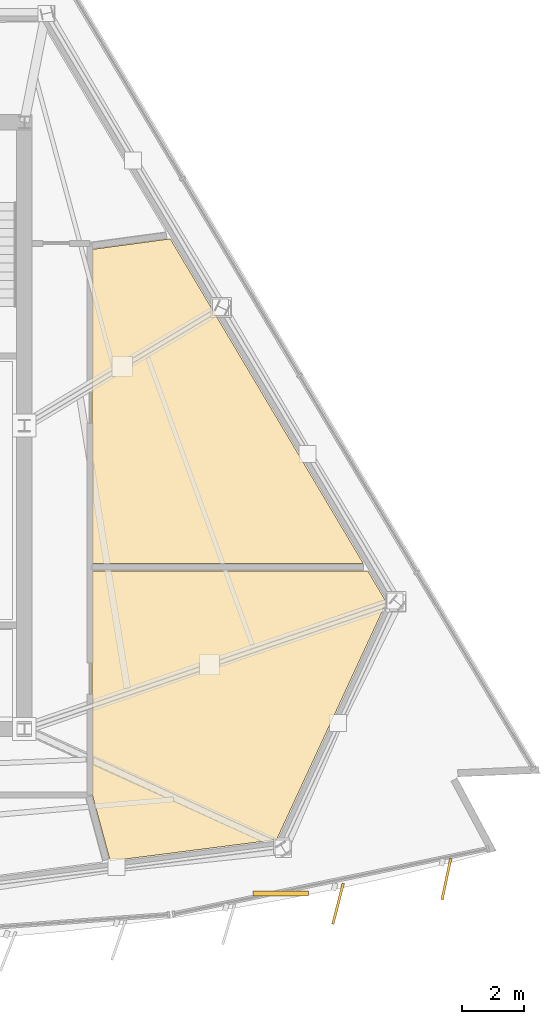
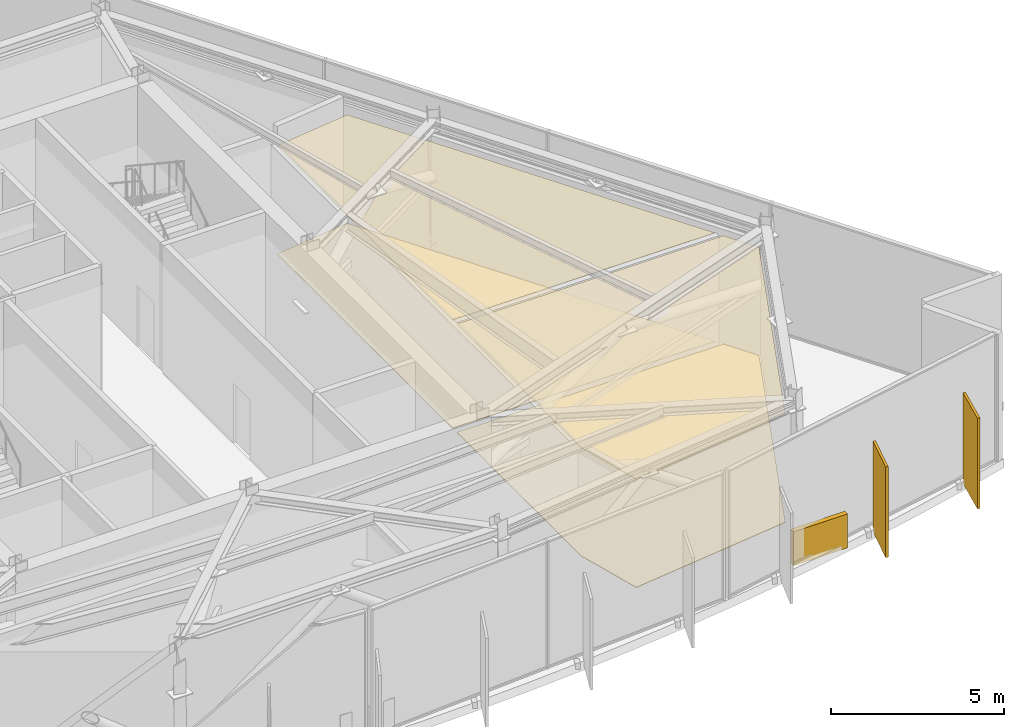
# One storey, part 13 of 14: 4 coverings, 3 shading devices.
"""IFC4 building model written with IfcOpenShell, lengths in metres."""

import ifcopenshell
import ifcopenshell.guid

model = None  # the IFC model being written
_history = None  # IfcOwnerHistory: only IFC2X3 demands one
_inside = {}  # id of a spatial element -> (the spatial element, [elements in it])
_under = {}  # id of a project, library or spatial element -> (it, [spatial elements below it])
_declared = {}  # id of a project -> (the project, [libraries it declares])
_typed = {}  # id of a type object -> (the type object, [elements of that type])
_made_of = {}  # id of a material, layer set ... -> (it, [elements and type objects made of it])


def new_model(schema):
    """Start an empty IFC model of exactly this schema.

    Asked for "IFC4X3", IfcOpenShell would pick the latest addendum, in which some entities
    have other attributes; the version numbers below select the first issue.
    IFC2X3 requires an IfcOwnerHistory on every rooted entity: one is made here for all.
    """
    global model, _history
    if schema == "IFC4X3":
        model = ifcopenshell.file(schema_version=(4, 3, 0, 0))
    else:
        model = ifcopenshell.file(schema=schema)
    _inside.clear()
    _under.clear()
    _declared.clear()
    _typed.clear()
    _made_of.clear()
    _history = None
    if model.schema == "IFC2X3":
        org = make("IfcOrganization", Name="unknown")
        user = make(
            "IfcPersonAndOrganization",
            ThePerson=make("IfcPerson", FamilyName="unknown"),
            TheOrganization=org,
        )
        app = make(
            "IfcApplication",
            ApplicationDeveloper=org,
            Version="unknown",
            ApplicationFullName="unknown",
            ApplicationIdentifier="unknown",
        )
        _history = make(
            "IfcOwnerHistory",
            OwningUser=user,
            OwningApplication=app,
            ChangeAction="ADDED",
            CreationDate=0,
        )
    return model


def make(cls, **values):
    """One entity of the class cls with the attributes given. An attribute that is None is left unset."""
    return model.create_entity(
        cls, **{name: value for name, value in values.items() if value is not None}
    )


def rooted(cls, **values):
    """An entity with a GlobalId (a new one), such as an element, a storey or a relation."""
    return make(cls, GlobalId=ifcopenshell.guid.new(), OwnerHistory=_history, **values)


def si_unit(unit_type, name, prefix=None):
    """IfcSIUnit, for example si_unit("LENGTHUNIT", "METRE", prefix="MILLI")."""
    return make("IfcSIUnit", UnitType=unit_type, Prefix=prefix, Name=name)


def assignment(units):
    """IfcUnitAssignment: the units of a project."""
    return None if units is None else make("IfcUnitAssignment", Units=units)


def point(xyz):
    """IfcCartesianPoint."""
    return None if xyz is None else make("IfcCartesianPoint", Coordinates=xyz)


def direction(xyz):
    """IfcDirection."""
    return None if xyz is None else make("IfcDirection", DirectionRatios=xyz)


def frame(location, z_axis=None, x_axis=None):
    """IfcAxis2Placement3D, a coordinate frame: its origin and axes. An axis left out is left unset."""
    return make(
        "IfcAxis2Placement3D",
        Location=point(location),
        Axis=direction(z_axis),
        RefDirection=direction(x_axis),
    )


def frame_2d(location, x_axis=None):
    """IfcAxis2Placement2D, a coordinate frame in the plane: its origin and x axis."""
    return make(
        "IfcAxis2Placement2D", Location=point(location), RefDirection=direction(x_axis)
    )


def origin():
    """The frame at (0, 0, 0) with its axes left unset."""
    return frame((0.0, 0.0, 0.0))


def origin_2d():
    """The frame at (0, 0) in the plane with its x axis left unset."""
    return frame_2d((0.0, 0.0))


def place(relative_to, where):
    """IfcLocalPlacement: puts the frame where relative to a parent placement (None: the world)."""
    return make(
        "IfcLocalPlacement", PlacementRelTo=relative_to, RelativePlacement=where
    )


def context(
    kind, dimensions, precision=None, world=None, true_north=None, identifier=None
):
    """IfcGeometricRepresentationContext, for example the 3D "Model" context."""
    return make(
        "IfcGeometricRepresentationContext",
        ContextIdentifier=identifier,
        ContextType=kind,
        CoordinateSpaceDimension=dimensions,
        Precision=precision,
        WorldCoordinateSystem=world,
        TrueNorth=true_north,
    )


def subcontext(parent, identifier, kind, view, scale=None):
    """IfcGeometricRepresentationSubContext, for example "Body" below "Model"."""
    return make(
        "IfcGeometricRepresentationSubContext",
        ContextIdentifier=identifier,
        ContextType=kind,
        ParentContext=parent,
        TargetScale=scale,
        TargetView=view,
    )


def project(units=None, contexts=None):
    """IfcProject with its units and contexts."""
    return rooted(
        "IfcProject",
        Name="project",
        RepresentationContexts=contexts,
        UnitsInContext=assignment(units),
    )


def spatial(cls, under=None, at=None, **own):
    """A site, building, storey or space (cls), placed at a placement, below another one or the project."""
    s = rooted(cls, ObjectPlacement=at, **own)
    if under is not None:
        _under.setdefault(under.id(), (under, []))[1].append(s)
    return s


def polyline(points):
    """IfcPolyline through the points."""
    return make("IfcPolyline", Points=[point(p) for p in points])


def profile(cls, at=None, kind="AREA", **sizes):
    """A parametric profile (cls). Its sizes go by their IFC names, for example OverallWidth=200.0."""
    return make(cls, ProfileType=kind, Position=at, **sizes)


def rectangle(**sizes):
    """IfcRectangleProfileDef."""
    return profile("IfcRectangleProfileDef", **sizes)


def outline(outer, holes=None, kind="AREA"):
    """IfcArbitraryClosedProfileDef: a profile drawn as a closed curve; with holes, ...WithVoids."""
    if holes is None:
        return make("IfcArbitraryClosedProfileDef", ProfileType=kind, OuterCurve=outer)
    return make(
        "IfcArbitraryProfileDefWithVoids",
        ProfileType=kind,
        OuterCurve=outer,
        InnerCurves=holes,
    )


def extrude(swept, where, along, depth):
    """IfcExtrudedAreaSolid: the profile swept, set in the frame where, extruded along a direction by depth."""
    return make(
        "IfcExtrudedAreaSolid",
        SweptArea=swept,
        Position=where,
        ExtrudedDirection=direction(along),
        Depth=depth,
    )


def shape(context_of_items, identifier, shape_type, items):
    """IfcShapeRepresentation: the items that make up one representation, for example the "Body"."""
    return make(
        "IfcShapeRepresentation",
        ContextOfItems=context_of_items,
        RepresentationIdentifier=identifier,
        RepresentationType=shape_type,
        Items=items,
    )


def material(Name=None, Category=None):
    """IfcMaterial."""
    return make("IfcMaterial", Name=Name, Category=Category)


def layer(
    of_material, thickness, ventilated=None, Name=None, Category=None, Priority=None
):
    """IfcMaterialLayer: one layer of a wall or slab, of a material (None: an air gap)."""
    return make(
        "IfcMaterialLayer",
        Material=of_material,
        LayerThickness=thickness,
        IsVentilated=ventilated,
        Name=Name,
        Category=Category,
        Priority=Priority,
    )


def layer_set(layers, Name=None):
    """IfcMaterialLayerSet."""
    return make("IfcMaterialLayerSet", MaterialLayers=layers, LayerSetName=Name)


def made_of(thing, what):
    """Note that an element or type object is made of a material, layer set ...; save() writes the relation."""
    if what is not None:
        _made_of.setdefault(what.id(), (what, []))[1].append(thing)
    return thing


def type_object(cls, material=None, **own):
    """A type object (cls), such as IfcWallType, which elements share."""
    return made_of(rooted(cls, **own), material)


def element(
    cls,
    number,
    at=None,
    inside=None,
    cuts=None,
    type_object=None,
    material=None,
    context=None,
    identifier="Body",
    shape_type=None,
    held_by="IfcProductDefinitionShape",
    body=None,
    shapes=None,
    **own,
):
    """One element of the class cls, such as IfcWall. Its Tag is "e" and its number.

    at: its placement. inside: the storey or other place that contains it. cuts: it is an
    opening in that element (IfcRelVoidsElement). A single representation is given by context,
    identifier, shape_type and body (its items); several are given by shapes. held_by: the class
    of the entity that holds the representations. save() writes the other relations.
    """
    e = rooted(cls, Tag="e%d" % number, ObjectPlacement=at, **own)
    if body is not None:
        shapes = [shape(context, identifier, shape_type, body)]
    if shapes is not None:
        e.Representation = make(held_by, Representations=shapes)
    if inside is not None:
        _inside.setdefault(inside.id(), (inside, []))[1].append(e)
    if cuts is not None:
        rooted(
            "IfcRelVoidsElement", RelatingBuildingElement=cuts, RelatedOpeningElement=e
        )
    if type_object is not None:
        _typed.setdefault(type_object.id(), (type_object, []))[1].append(e)
    return made_of(e, material)


def aggregate(whole, parts):
    """IfcRelAggregates: a whole, such as a stair, and the parts it consists of."""
    return rooted("IfcRelAggregates", RelatingObject=whole, RelatedObjects=parts)


def save(model, path):
    """Write the relations noted so far, then the file.

    IfcRelAggregates (storeys below a building ...), IfcRelContainedInSpatialStructure (elements
    in a storey), IfcRelDefinesByType, IfcRelAssociatesMaterial and IfcRelDeclares: one each for
    every whole, place, type object, material and project.
    """
    for whole, parts in _under.values():
        aggregate(whole, parts)
    for where, things in _inside.values():
        rooted(
            "IfcRelContainedInSpatialStructure",
            RelatedElements=things,
            RelatingStructure=where,
        )
    for kind, things in _typed.values():
        rooted("IfcRelDefinesByType", RelatedObjects=things, RelatingType=kind)
    for what, things in _made_of.values():
        rooted("IfcRelAssociatesMaterial", RelatedObjects=things, RelatingMaterial=what)
    for by, libraries in _declared.values():
        rooted("IfcRelDeclares", RelatingContext=by, RelatedDefinitions=libraries)
    model.write(path)


model = new_model("IFC4")

# Units and contexts
model_context = context("Model", 3, precision=1e-05, world=origin(), true_north=direction((0.0, 1.0)))
body_context = subcontext(model_context, "Body", "Model", "MODEL_VIEW")
ifc_project = project(units=[si_unit("LENGTHUNIT", "METRE"), si_unit("AREAUNIT", "SQUARE_METRE"), si_unit("VOLUMEUNIT", "CUBIC_METRE"), si_unit("PLANEANGLEUNIT", "RADIAN"), si_unit("MASSUNIT", "GRAM", prefix="KILO")], contexts=[model_context])

# Site, building, storey
site_placement = place(None, origin())
site = spatial("IfcSite", under=ifc_project, at=site_placement, CompositionType="ELEMENT")
building_placement = place(site_placement, origin())
building = spatial("IfcBuilding", under=site, at=building_placement, Name="Savorim Split Tower", CompositionType="ELEMENT")
storey_placement = place(building_placement, frame((0.0, 0.0, 241.5)))
storey = spatial("IfcBuildingStorey", under=building, at=storey_placement, Name="L64", CompositionType="ELEMENT", Elevation=241.5)

# Coverings
ifc_material_1 = material(Name="Mineral Fibre Acoustic Ceiling")
ifc_layer_1 = layer(ifc_material_1, 0.02490234375)
ifc_layer_set_1 = layer_set([ifc_layer_1], Name="COV-CEIL-25")
covering_type_1 = type_object("IfcCoveringType", Name="COV-CEIL-25", PredefinedType="CEILING", material=ifc_layer_set_1)
covering_1_placement = place(storey_placement, frame((0.0, 0.0, 3.820068359375)))
element("IfcCovering", 1, at=covering_1_placement, inside=storey, type_object=covering_type_1, Name="L64 Refuge Area North Acoustic Ceiling", PredefinedType="CEILING", context=body_context, shape_type="SweptSolid", body=[
    extrude(outline(polyline([(10.474853515625, -13.6630859375), (15.8505859375, -12.972900390625), (19.3984375, -5.307373046875), (18.78515625, -4.275634765625), (18.78515625, -4.291748046875), (9.889892578125, -4.291748046875), (9.889892578125, -11.449951171875), (9.889404296875, -11.463623046875), (9.88720703125, -11.477294921875), (9.88671875, -11.4794921875), (10.45751953125, -13.5986328125), (10.474853515625, -13.6630859375)])), origin(), (0.0, 0.0, 1.0), 0.02490234375),
])
covering_2_placement = place(storey_placement, frame((0.0, 0.0, 3.820068359375)))
element("IfcCovering", 2, at=covering_2_placement, inside=storey, type_object=covering_type_1, Name="L64 Refuge Area North-East Acoustic Ceiling", PredefinedType="CEILING", context=body_context, shape_type="SweptSolid", body=[
    extrude(outline(polyline([(9.889892578125, -4.0517578125), (18.65185546875, -4.0517578125), (13.8232421875, 4.06884765625), (12.4169921875, 6.43359375), (9.905029296875, 6.0947265625), (9.889892578125, 6.0927734375), (9.889892578125, -4.0517578125)])), origin(), (0.0, 0.0, 1.0), 0.02490234375),
])
ifc_material_2 = material(Name="Porcelain Stoneware Flooring", Category="masonry")
ifc_layer_2 = layer(ifc_material_2, 0.02001953125)
ifc_layer_set_2 = layer_set([ifc_layer_2], Name="COV-FLOR-20")
covering_type_2 = type_object("IfcCoveringType", Name="COV-FLOR-20", PredefinedType="FLOORING", material=ifc_layer_set_2)
covering_3_placement = place(storey_placement, origin())
element("IfcCovering", 3, at=covering_3_placement, inside=storey, type_object=covering_type_2, Name="L64 Refuge Area North Porcelain Flooring", PredefinedType="FLOORING", context=body_context, shape_type="SweptSolid", body=[
    extrude(outline(polyline([(10.474853515625, -13.6630859375), (15.8505859375, -12.972900390625), (19.3984375, -5.307373046875), (18.78515625, -4.275634765625), (18.78515625, -4.291748046875), (9.889892578125, -4.291748046875), (9.889892578125, -11.449951171875), (9.889404296875, -11.463623046875), (9.88720703125, -11.477294921875), (9.88671875, -11.4794921875), (10.45751953125, -13.5986328125), (10.474853515625, -13.6630859375)])), origin(), (0.0, 0.0, 1.0), 0.02001953125),
])
covering_4_placement = place(storey_placement, origin())
element("IfcCovering", 4, at=covering_4_placement, inside=storey, type_object=covering_type_2, Name="L64 Refuge Area North-East Porcelain Flooring", PredefinedType="FLOORING", context=body_context, shape_type="SweptSolid", body=[
    extrude(outline(polyline([(9.889892578125, -4.0517578125), (18.65185546875, -4.0517578125), (13.8232421875, 4.06884765625), (12.4169921875, 6.43359375), (9.905029296875, 6.0947265625), (9.889892578125, 6.0927734375), (9.889892578125, -4.0517578125)])), origin(), (0.0, 0.0, 1.0), 0.02001953125),
])

# Shading devices
ifc_material_3 = material(Name="Terracotta Ceramic-Coated Aluminium Fin", Category="masonry")
shading_device_type_1 = type_object("IfcShadingDeviceType", Name="SHD-FIN-1360", PredefinedType="USERDEFINED", material=ifc_material_3)
for number, where, z_axis, x_axis, name in (
    (5, (17.833984375, -15.048095703125, -0.2001953125), (0.0, 0.0, 1.0), (-0.246581250663, -0.969122121727, 0.0), "L64 Sawtooth Shading Fin 12"),
    (6, (21.3349609375, -14.246337890625, -0.2001953125), (0.0, 0.0, 1.0), (-0.206721626106, -0.978399800337, 0.0), "L64 Sawtooth Shading Fin 13"),
):
    element("IfcShadingDevice", number, at=place(storey_placement, frame(where, z_axis=z_axis, x_axis=x_axis)), inside=storey, type_object=shading_device_type_1, Name=name, ObjectType="FIN", PredefinedType="USERDEFINED", context=body_context, shape_type="SweptSolid", body=[
        extrude(rectangle(XDim=1.360107421875, YDim=0.080078125, at=origin_2d()), origin(), (0.0, 0.0, 1.0), 3.199951171875),
    ])
ifc_material_4 = material(Name="Charcoal Anodised Aluminium", Category="aluminium")
shading_device_type_2 = type_object("IfcShadingDeviceType", Name="SHD-LVR-1800", PredefinedType="USERDEFINED", material=ifc_material_4)
shading_device_placement = place(storey_placement, frame((15.984619140625, -14.70703125, -0.14990234375), z_axis=(0.0, 0.0, 1.0), x_axis=(1.0, 0.0, 0.0)))
element("IfcShadingDevice", 7, at=shading_device_placement, inside=storey, type_object=shading_device_type_2, Name="L64 Plant Acoustic Louvre 3", ObjectType="LOUVRE", PredefinedType="USERDEFINED", context=body_context, shape_type="SweptSolid", body=[
    extrude(rectangle(XDim=1.800048828125, YDim=0.159912109375, at=origin_2d()), origin(), (0.0, 0.0, 1.0), 1.199951171875),
])

save(model, "model.ifc")
